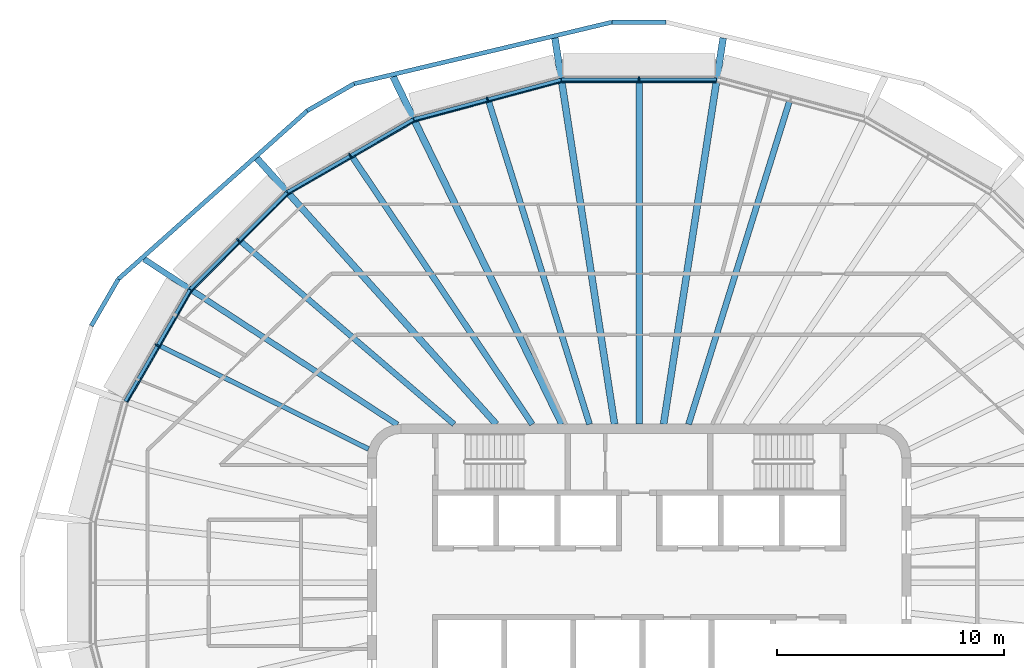
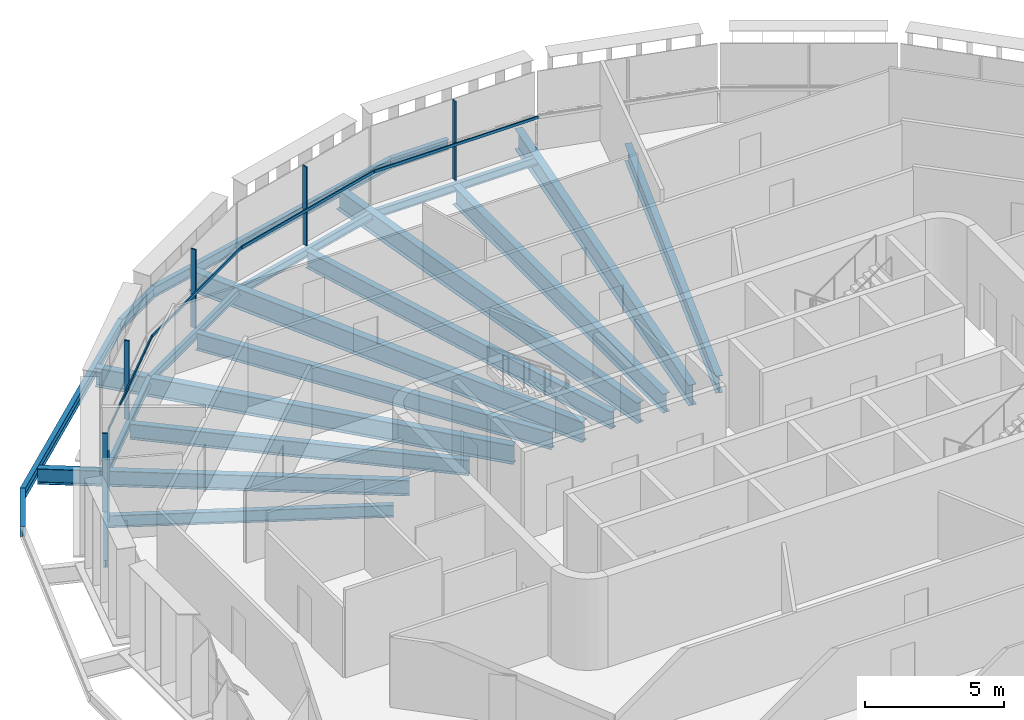
# One storey, part 5 of 18: 21 beams, 10 members, 5 elements without a shape of their own.
"""IFC4 building model written with IfcOpenShell, lengths in metres."""

import ifcopenshell
import ifcopenshell.guid

model = None  # the IFC model being written
_history = None  # IfcOwnerHistory: only IFC2X3 demands one
_inside = {}  # id of a spatial element -> (the spatial element, [elements in it])
_under = {}  # id of a project, library or spatial element -> (it, [spatial elements below it])
_declared = {}  # id of a project -> (the project, [libraries it declares])
_typed = {}  # id of a type object -> (the type object, [elements of that type])
_made_of = {}  # id of a material, layer set ... -> (it, [elements and type objects made of it])


def new_model(schema):
    """Start an empty IFC model of exactly this schema.

    Asked for "IFC4X3", IfcOpenShell would pick the latest addendum, in which some entities
    have other attributes; the version numbers below select the first issue.
    IFC2X3 requires an IfcOwnerHistory on every rooted entity: one is made here for all.
    """
    global model, _history
    if schema == "IFC4X3":
        model = ifcopenshell.file(schema_version=(4, 3, 0, 0))
    else:
        model = ifcopenshell.file(schema=schema)
    _inside.clear()
    _under.clear()
    _declared.clear()
    _typed.clear()
    _made_of.clear()
    _history = None
    if model.schema == "IFC2X3":
        org = make("IfcOrganization", Name="unknown")
        user = make(
            "IfcPersonAndOrganization",
            ThePerson=make("IfcPerson", FamilyName="unknown"),
            TheOrganization=org,
        )
        app = make(
            "IfcApplication",
            ApplicationDeveloper=org,
            Version="unknown",
            ApplicationFullName="unknown",
            ApplicationIdentifier="unknown",
        )
        _history = make(
            "IfcOwnerHistory",
            OwningUser=user,
            OwningApplication=app,
            ChangeAction="ADDED",
            CreationDate=0,
        )
    return model


def make(cls, **values):
    """One entity of the class cls with the attributes given. An attribute that is None is left unset."""
    return model.create_entity(
        cls, **{name: value for name, value in values.items() if value is not None}
    )


def rooted(cls, **values):
    """An entity with a GlobalId (a new one), such as an element, a storey or a relation."""
    return make(cls, GlobalId=ifcopenshell.guid.new(), OwnerHistory=_history, **values)


def si_unit(unit_type, name, prefix=None):
    """IfcSIUnit, for example si_unit("LENGTHUNIT", "METRE", prefix="MILLI")."""
    return make("IfcSIUnit", UnitType=unit_type, Prefix=prefix, Name=name)


def assignment(units):
    """IfcUnitAssignment: the units of a project."""
    return None if units is None else make("IfcUnitAssignment", Units=units)


def point(xyz):
    """IfcCartesianPoint."""
    return None if xyz is None else make("IfcCartesianPoint", Coordinates=xyz)


def direction(xyz):
    """IfcDirection."""
    return None if xyz is None else make("IfcDirection", DirectionRatios=xyz)


def frame(location, z_axis=None, x_axis=None):
    """IfcAxis2Placement3D, a coordinate frame: its origin and axes. An axis left out is left unset."""
    return make(
        "IfcAxis2Placement3D",
        Location=point(location),
        Axis=direction(z_axis),
        RefDirection=direction(x_axis),
    )


def frame_2d(location, x_axis=None):
    """IfcAxis2Placement2D, a coordinate frame in the plane: its origin and x axis."""
    return make(
        "IfcAxis2Placement2D", Location=point(location), RefDirection=direction(x_axis)
    )


def origin():
    """The frame at (0, 0, 0) with its axes left unset."""
    return frame((0.0, 0.0, 0.0))


def origin_2d():
    """The frame at (0, 0) in the plane with its x axis left unset."""
    return frame_2d((0.0, 0.0))


def place(relative_to, where):
    """IfcLocalPlacement: puts the frame where relative to a parent placement (None: the world)."""
    return make(
        "IfcLocalPlacement", PlacementRelTo=relative_to, RelativePlacement=where
    )


def context(
    kind, dimensions, precision=None, world=None, true_north=None, identifier=None
):
    """IfcGeometricRepresentationContext, for example the 3D "Model" context."""
    return make(
        "IfcGeometricRepresentationContext",
        ContextIdentifier=identifier,
        ContextType=kind,
        CoordinateSpaceDimension=dimensions,
        Precision=precision,
        WorldCoordinateSystem=world,
        TrueNorth=true_north,
    )


def subcontext(parent, identifier, kind, view, scale=None):
    """IfcGeometricRepresentationSubContext, for example "Body" below "Model"."""
    return make(
        "IfcGeometricRepresentationSubContext",
        ContextIdentifier=identifier,
        ContextType=kind,
        ParentContext=parent,
        TargetScale=scale,
        TargetView=view,
    )


def project(units=None, contexts=None):
    """IfcProject with its units and contexts."""
    return rooted(
        "IfcProject",
        Name="project",
        RepresentationContexts=contexts,
        UnitsInContext=assignment(units),
    )


def spatial(cls, under=None, at=None, **own):
    """A site, building, storey or space (cls), placed at a placement, below another one or the project."""
    s = rooted(cls, ObjectPlacement=at, **own)
    if under is not None:
        _under.setdefault(under.id(), (under, []))[1].append(s)
    return s


def profile(cls, at=None, kind="AREA", **sizes):
    """A parametric profile (cls). Its sizes go by their IFC names, for example OverallWidth=200.0."""
    return make(cls, ProfileType=kind, Position=at, **sizes)


def rectangle(**sizes):
    """IfcRectangleProfileDef."""
    return profile("IfcRectangleProfileDef", **sizes)


def i_section(**sizes):
    """IfcIShapeProfileDef."""
    return profile("IfcIShapeProfileDef", **sizes)


def extrude(swept, where, along, depth):
    """IfcExtrudedAreaSolid: the profile swept, set in the frame where, extruded along a direction by depth."""
    return make(
        "IfcExtrudedAreaSolid",
        SweptArea=swept,
        Position=where,
        ExtrudedDirection=direction(along),
        Depth=depth,
    )


def shape(context_of_items, identifier, shape_type, items):
    """IfcShapeRepresentation: the items that make up one representation, for example the "Body"."""
    return make(
        "IfcShapeRepresentation",
        ContextOfItems=context_of_items,
        RepresentationIdentifier=identifier,
        RepresentationType=shape_type,
        Items=items,
    )


def material(Name=None, Category=None):
    """IfcMaterial."""
    return make("IfcMaterial", Name=Name, Category=Category)


def layer(
    of_material, thickness, ventilated=None, Name=None, Category=None, Priority=None
):
    """IfcMaterialLayer: one layer of a wall or slab, of a material (None: an air gap)."""
    return make(
        "IfcMaterialLayer",
        Material=of_material,
        LayerThickness=thickness,
        IsVentilated=ventilated,
        Name=Name,
        Category=Category,
        Priority=Priority,
    )


def layer_set(layers, Name=None):
    """IfcMaterialLayerSet."""
    return make("IfcMaterialLayerSet", MaterialLayers=layers, LayerSetName=Name)


def material_profile(
    of_material, cross_section, Name=None, Category=None, Priority=None
):
    """IfcMaterialProfile: a cross section and its material."""
    return make(
        "IfcMaterialProfile",
        Name=Name,
        Material=of_material,
        Profile=cross_section,
        Priority=Priority,
        Category=Category,
    )


def profile_set(profiles, Name=None, composite=None):
    """IfcMaterialProfileSet."""
    return make(
        "IfcMaterialProfileSet",
        Name=Name,
        MaterialProfiles=profiles,
        CompositeProfile=composite,
    )


def made_of(thing, what):
    """Note that an element or type object is made of a material, layer set ...; save() writes the relation."""
    if what is not None:
        _made_of.setdefault(what.id(), (what, []))[1].append(thing)
    return thing


def type_object(cls, material=None, **own):
    """A type object (cls), such as IfcWallType, which elements share."""
    return made_of(rooted(cls, **own), material)


def element(
    cls,
    number,
    at=None,
    inside=None,
    cuts=None,
    type_object=None,
    material=None,
    context=None,
    identifier="Body",
    shape_type=None,
    held_by="IfcProductDefinitionShape",
    body=None,
    shapes=None,
    **own,
):
    """One element of the class cls, such as IfcWall. Its Tag is "e" and its number.

    at: its placement. inside: the storey or other place that contains it. cuts: it is an
    opening in that element (IfcRelVoidsElement). A single representation is given by context,
    identifier, shape_type and body (its items); several are given by shapes. held_by: the class
    of the entity that holds the representations. save() writes the other relations.
    """
    e = rooted(cls, Tag="e%d" % number, ObjectPlacement=at, **own)
    if body is not None:
        shapes = [shape(context, identifier, shape_type, body)]
    if shapes is not None:
        e.Representation = make(held_by, Representations=shapes)
    if inside is not None:
        _inside.setdefault(inside.id(), (inside, []))[1].append(e)
    if cuts is not None:
        rooted(
            "IfcRelVoidsElement", RelatingBuildingElement=cuts, RelatedOpeningElement=e
        )
    if type_object is not None:
        _typed.setdefault(type_object.id(), (type_object, []))[1].append(e)
    return made_of(e, material)


def aggregate(whole, parts):
    """IfcRelAggregates: a whole, such as a stair, and the parts it consists of."""
    return rooted("IfcRelAggregates", RelatingObject=whole, RelatedObjects=parts)


def save(model, path):
    """Write the relations noted so far, then the file.

    IfcRelAggregates (storeys below a building ...), IfcRelContainedInSpatialStructure (elements
    in a storey), IfcRelDefinesByType, IfcRelAssociatesMaterial and IfcRelDeclares: one each for
    every whole, place, type object, material and project.
    """
    for whole, parts in _under.values():
        aggregate(whole, parts)
    for where, things in _inside.values():
        rooted(
            "IfcRelContainedInSpatialStructure",
            RelatedElements=things,
            RelatingStructure=where,
        )
    for kind, things in _typed.values():
        rooted("IfcRelDefinesByType", RelatedObjects=things, RelatingType=kind)
    for what, things in _made_of.values():
        rooted("IfcRelAssociatesMaterial", RelatedObjects=things, RelatingMaterial=what)
    for by, libraries in _declared.values():
        rooted("IfcRelDeclares", RelatingContext=by, RelatedDefinitions=libraries)
    model.write(path)


model = new_model("IFC4")

# Units and contexts
model_context = context("Model", 3, precision=1e-05, world=origin(), true_north=direction((0.0, 1.0)))
body_context = subcontext(model_context, "Body", "Model", "MODEL_VIEW")
ifc_project = project(units=[si_unit("LENGTHUNIT", "METRE"), si_unit("AREAUNIT", "SQUARE_METRE"), si_unit("VOLUMEUNIT", "CUBIC_METRE"), si_unit("PLANEANGLEUNIT", "RADIAN"), si_unit("MASSUNIT", "GRAM", prefix="KILO")], contexts=[model_context])

# Site, building, storey
site_placement = place(None, origin())
site = spatial("IfcSite", under=ifc_project, at=site_placement, CompositionType="ELEMENT")
building_placement = place(site_placement, origin())
building = spatial("IfcBuilding", under=site, at=building_placement, Name="Sahrelin Media Tower", CompositionType="ELEMENT")
storey_placement = place(building_placement, frame((0.0, 0.0, 320.39990234375)))
storey = spatial("IfcBuildingStorey", under=building, at=storey_placement, Name="L71", CompositionType="ELEMENT", Elevation=320.39990234375)

# Beams
ifc_material_1 = material(Name="Steel S355", Category="steel")
ifc_material_profile_1 = material_profile(ifc_material_1, i_section(OverallWidth=0.1650390625, OverallDepth=0.303466796875, WebThickness=0.006103515625, FlangeThickness=0.01025390625, FilletRadius=0.0087890625, at=origin_2d()), Name="UB 305x165x40")
ifc_profile_set_1 = profile_set([ifc_material_profile_1], Name="Steel S355")
beam_type_1 = type_object("IfcBeamType", Name="Edge beam EB2", PredefinedType="BEAM", material=ifc_profile_set_1)
beam_1_placement = place(storey_placement, frame((-22.66650390625, 8.00830078125, -0.301513671875), z_axis=(0.50000363893, 0.866023302837, 0.0), x_axis=(-0.866023302837, 0.50000363893, 0.0)))
element("IfcBeam", 1, at=beam_1_placement, inside=storey, type_object=beam_type_1, Name="Edge beam L71-15", PredefinedType="BEAM", context=body_context, shape_type="SweptSolid", body=[
    extrude(i_section(OverallWidth=0.1650390625, OverallDepth=0.303466796875, WebThickness=0.006103515625, FlangeThickness=0.01025390625, FilletRadius=0.0087890625, at=origin_2d()), origin(), (0.0, 0.0, 1.0), 5.68701171875),
])
ifc_material_profile_2 = material_profile(ifc_material_1, i_section(OverallWidth=0.17138671875, OverallDepth=0.35498046875, WebThickness=0.00732421875, FlangeThickness=0.011474609375, FilletRadius=0.01025390625, at=origin_2d()), Name="UB 356x171x51")
ifc_profile_set_2 = profile_set([ifc_material_profile_2], Name="Steel S355")
beam_type_2 = type_object("IfcBeamType", Name="Edge beam EB3", PredefinedType="BEAM", material=ifc_profile_set_2)
beam_2_placement = place(storey_placement, frame((-19.805419921875, 12.956298828125, -0.327392578125), z_axis=(0.707106781187, 0.707106781187, 0.0), x_axis=(-0.707106781187, 0.707106781187, 0.0)))
element("IfcBeam", 2, at=beam_2_placement, inside=storey, type_object=beam_type_2, Name="Edge beam L71-16", PredefinedType="BEAM", context=body_context, shape_type="SweptSolid", body=[
    extrude(i_section(OverallWidth=0.17138671875, OverallDepth=0.35498046875, WebThickness=0.00732421875, FlangeThickness=0.011474609375, FilletRadius=0.01025390625, at=origin_2d()), origin(), (0.0, 0.0, 1.0), 6.033447265625),
])
beam_3_placement = place(storey_placement, frame((-15.51611328125, 17.240234375, -0.327392578125), z_axis=(0.866016350121, 0.500015681077, 0.0), x_axis=(-0.500015681077, 0.866016350121, 0.0)))
element("IfcBeam", 3, at=beam_3_placement, inside=storey, type_object=beam_type_2, Name="Edge beam L71-17", PredefinedType="BEAM", context=body_context, shape_type="SweptSolid", body=[
    extrude(i_section(OverallWidth=0.17138671875, OverallDepth=0.35498046875, WebThickness=0.00732421875, FlangeThickness=0.011474609375, FilletRadius=0.01025390625, at=origin_2d()), origin(), (0.0, 0.0, 1.0), 6.414306640625),
])
beam_4_placement = place(storey_placement, frame((-9.9345703125, 20.45849609375, -0.327392578125), z_axis=(0.965930856343, 0.258800271955, 0.0), x_axis=(-0.258800271955, 0.965930856343, 0.0)))
element("IfcBeam", 4, at=beam_4_placement, inside=storey, type_object=beam_type_2, Name="Edge beam L71-18", PredefinedType="BEAM", context=body_context, shape_type="SweptSolid", body=[
    extrude(i_section(OverallWidth=0.17138671875, OverallDepth=0.35498046875, WebThickness=0.00732421875, FlangeThickness=0.011474609375, FilletRadius=0.01025390625, at=origin_2d()), origin(), (0.0, 0.0, 1.0), 6.717529296875),
])
beam_5_placement = place(storey_placement, frame((-3.4169921875, 22.200927734375, -0.327392578125), z_axis=(1.0, 0.0, 0.0), x_axis=(0.0, 1.0, 0.0)))
element("IfcBeam", 5, at=beam_5_placement, inside=storey, type_object=beam_type_2, Name="Edge beam L71-19", PredefinedType="BEAM", context=body_context, shape_type="SweptSolid", body=[
    extrude(i_section(OverallWidth=0.17138671875, OverallDepth=0.35498046875, WebThickness=0.00732421875, FlangeThickness=0.011474609375, FilletRadius=0.01025390625, at=origin_2d()), origin(), (0.0, 0.0, 1.0), 6.833984375),
])

# Curtain wall, member
ifc_material_2 = material(Name="Champagne anodised aluminium 6063-T6", Category="aluminium")
ifc_layer = layer(ifc_material_2, 0.14990234375)
ifc_layer_set = layer_set([ifc_layer], Name="Tower ribbon curtain wall")
curtain_wall_type = type_object("IfcCurtainWallType", Name="Tower ribbon curtain wall", PredefinedType="NOTDEFINED", material=ifc_layer_set)
curtain_wall_1_placement = place(storey_placement, frame((0.0, 22.350830078125, 0.0), z_axis=(0.0, 0.0, 1.0), x_axis=(1.0, 0.0, 0.0)))
curtain_wall_1 = element("IfcCurtainWall", 6, at=curtain_wall_1_placement, inside=storey, type_object=curtain_wall_type, Name="L71:CW:L71-06", PredefinedType="NOTDEFINED")
ifc_material_profile_3 = material_profile(ifc_material_2, rectangle(XDim=0.06005859375, YDim=0.199951171875, at=origin_2d()), Name="Mullion 60x200")
ifc_profile_set_3 = profile_set([ifc_material_profile_3], Name="Champagne anodised aluminium 6063-T6")
member_type_1 = type_object("IfcMemberType", Name="Mullion 60x200 CW1C", PredefinedType="MULLION", material=ifc_profile_set_3)
member_1_placement = place(storey_placement, frame((0.0, 22.23095703125, 0.0), z_axis=(0.0, 0.0, 1.0), x_axis=(-1.0, 0.0, 0.0)))
member_1 = element("IfcMember", 7, at=member_1_placement, type_object=member_type_1, Name="L71:CWM:L71-06", PredefinedType="MULLION", context=body_context, shape_type="SweptSolid", body=[
    extrude(rectangle(XDim=0.06005859375, YDim=0.199951171875, at=origin_2d()), origin(), (0.0, 0.0, 1.0), 3.44873046875),
])

curtain_wall_2_placement = place(storey_placement, frame((-6.72900390625, 21.47265625, 0.0), z_axis=(0.0, 0.0, 1.0), x_axis=(1.0, 0.0, 0.0)))
curtain_wall_2 = element("IfcCurtainWall", 8, at=curtain_wall_2_placement, inside=storey, type_object=curtain_wall_type, Name="L71:CW:L71-07", PredefinedType="NOTDEFINED")
member_2_placement = place(storey_placement, frame((-6.69775390625, 21.356689453125, 0.0), z_axis=(0.0, 0.0, 1.0), x_axis=(-0.965926278012, -0.258817359244, 0.0)))
member_2 = element("IfcMember", 9, at=member_2_placement, type_object=member_type_1, Name="L71:CWM:L71-07", PredefinedType="MULLION", context=body_context, shape_type="SweptSolid", body=[
    extrude(rectangle(XDim=0.06005859375, YDim=0.199951171875, at=origin_2d()), origin(), (0.0, 0.0, 1.0), 3.44873046875),
])

curtain_wall_3_placement = place(storey_placement, frame((-12.813720703125, 18.9736328125, 0.0), z_axis=(0.0, 0.0, 1.0), x_axis=(1.0, 0.0, 0.0)))
curtain_wall_3 = element("IfcCurtainWall", 10, at=curtain_wall_3_placement, inside=storey, type_object=curtain_wall_type, Name="L71:CW:L71-08", PredefinedType="NOTDEFINED")
member_3_placement = place(storey_placement, frame((-12.753662109375, 18.869873046875, 0.0), z_axis=(0.0, 0.0, 1.0), x_axis=(-0.86602365845, -0.500003022996, 0.0)))
member_3 = element("IfcMember", 11, at=member_3_placement, type_object=member_type_1, Name="L71:CWM:L71-08", PredefinedType="MULLION", context=body_context, shape_type="SweptSolid", body=[
    extrude(rectangle(XDim=0.06005859375, YDim=0.199951171875, at=origin_2d()), origin(), (0.0, 0.0, 1.0), 3.44873046875),
])

curtain_wall_4_placement = place(storey_placement, frame((-17.7783203125, 15.195556640625, 0.0), z_axis=(0.0, 0.0, 1.0), x_axis=(1.0, 0.0, 0.0)))
curtain_wall_4 = element("IfcCurtainWall", 12, at=curtain_wall_4_placement, inside=storey, type_object=curtain_wall_type, Name="L71:CW:L71-09", PredefinedType="NOTDEFINED")
member_4_placement = place(storey_placement, frame((-17.693359375, 15.110595703125, 0.0), z_axis=(0.0, 0.0, 1.0), x_axis=(-0.707106781187, -0.707106781187, 0.0)))
member_4 = element("IfcMember", 13, at=member_4_placement, type_object=member_type_1, Name="L71:CWM:L71-09", PredefinedType="MULLION", context=body_context, shape_type="SweptSolid", body=[
    extrude(rectangle(XDim=0.06005859375, YDim=0.199951171875, at=origin_2d()), origin(), (0.0, 0.0, 1.0), 3.44873046875),
])

curtain_wall_5_placement = place(storey_placement, frame((-21.374755859375, 10.5458984375, 0.0), z_axis=(0.0, 0.0, 1.0), x_axis=(1.0, 0.0, 0.0)))
curtain_wall_5 = element("IfcCurtainWall", 14, at=curtain_wall_5_placement, inside=storey, type_object=curtain_wall_type, Name="L71:CW:L71-10", PredefinedType="NOTDEFINED")
member_5_placement = place(storey_placement, frame((-21.270751953125, 10.48583984375, 0.0), z_axis=(0.0, 0.0, 1.0), x_axis=(-0.500004534492, -0.866022785779, 0.0)))
member_5 = element("IfcMember", 15, at=member_5_placement, type_object=member_type_1, Name="L71:CWM:L71-10", PredefinedType="MULLION", context=body_context, shape_type="SweptSolid", body=[
    extrude(rectangle(XDim=0.06005859375, YDim=0.199951171875, at=origin_2d()), origin(), (0.0, 0.0, 1.0), 3.44873046875),
])

# Beams
ifc_material_profile_4 = material_profile(ifc_material_1, i_section(OverallWidth=0.291748046875, OverallDepth=0.8349609375, WebThickness=0.013916015625, FlangeThickness=0.018798828125, FilletRadius=0.017822265625, at=origin_2d()), Name="UB 838x292x176")
ifc_profile_set_4 = profile_set([ifc_material_profile_4], Name="Steel S355")
beam_type_3 = type_object("IfcBeamType", Name="Radial primary beam PB10", PredefinedType="BEAM", material=ifc_profile_set_4)
beam_6_placement = place(storey_placement, frame((-6.30126953125, 7.0, -0.5673828125), z_axis=(-0.669035624577, 0.743230336468, 0.0), x_axis=(-0.743230336468, -0.669035624577, 0.0)))
element("IfcBeam", 16, at=beam_6_placement, inside=storey, type_object=beam_type_3, Name="Radial beam L71-09", PredefinedType="BEAM", context=body_context, shape_type="SweptSolid", body=[
    extrude(i_section(OverallWidth=0.291748046875, OverallDepth=0.8349609375, WebThickness=0.013916015625, FlangeThickness=0.018798828125, FilletRadius=0.017822265625, at=origin_2d()), origin(), (0.0, 0.0, 1.0), 15.791259765625),
])
ifc_material_profile_5 = material_profile(ifc_material_1, i_section(OverallWidth=0.30322265625, OverallDepth=0.903076171875, WebThickness=0.01513671875, FlangeThickness=0.020263671875, FilletRadius=0.01904296875, at=origin_2d()), Name="UB 914x305x201")
ifc_profile_set_5 = profile_set([ifc_material_profile_5], Name="Steel S355")
beam_type_4 = type_object("IfcBeamType", Name="Radial primary beam PB11", PredefinedType="BEAM", material=ifc_profile_set_5)
for number, where, z_axis, x_axis, name in (
    (17, (1.080810546875, 7.0, -0.601318359375), (0.152615417816, 0.988285654173, 0.0), (-0.988285654173, 0.152615417816, 0.0), "Radial beam L71-06"),
    (18, (-1.080810546875, 7.0, -0.601318359375), (-0.152615417816, 0.988285654173, 0.0), (-0.988285654173, -0.152615417816, 0.0), "Radial beam L71-07"),
):
    element("IfcBeam", number, at=place(storey_placement, frame(where, z_axis=z_axis, x_axis=x_axis)), inside=storey, type_object=beam_type_4, Name=name, PredefinedType="BEAM", context=body_context, shape_type="SweptSolid", body=[
        extrude(i_section(OverallWidth=0.30322265625, OverallDepth=0.903076171875, WebThickness=0.01513671875, FlangeThickness=0.020263671875, FilletRadius=0.01904296875, at=origin_2d()), origin(), (0.0, 0.0, 1.0), 17.2529296875),
    ])
beam_7_placement = place(storey_placement, frame((-3.401123046875, 7.0, -0.601318359375), z_axis=(-0.437024704588, 0.899449502518, 0.0), x_axis=(-0.899449502518, -0.437024704588, 0.0)))
element("IfcBeam", 19, at=beam_7_placement, inside=storey, type_object=beam_type_4, Name="Radial beam L71-08", PredefinedType="BEAM", context=body_context, shape_type="SweptSolid", body=[
    extrude(i_section(OverallWidth=0.30322265625, OverallDepth=0.903076171875, WebThickness=0.01513671875, FlangeThickness=0.020263671875, FilletRadius=0.01904296875, at=origin_2d()), origin(), (0.0, 0.0, 1.0), 17.06103515625),
])
ifc_material_profile_6 = material_profile(ifc_material_1, i_section(OverallWidth=0.2529296875, OverallDepth=0.677978515625, WebThickness=0.01171875, FlangeThickness=0.01611328125, FilletRadius=0.01513671875, at=origin_2d()), Name="UB 686x254x125")
ifc_profile_set_6 = profile_set([ifc_material_profile_6], Name="Steel S355")
beam_type_5 = type_object("IfcBeamType", Name="Radial primary beam PB8", PredefinedType="BEAM", material=ifc_profile_set_6)
beam_8_placement = place(storey_placement, frame((-10.669189453125, 6.977783203125, -0.489013671875), z_axis=(-0.836908141408, 0.547343368321, 0.0), x_axis=(-0.547343368321, -0.836908141408, 0.0)))
element("IfcBeam", 20, at=beam_8_placement, inside=storey, type_object=beam_type_5, Name="Radial beam L71-10", PredefinedType="BEAM", context=body_context, shape_type="SweptSolid", body=[
    extrude(i_section(OverallWidth=0.2529296875, OverallDepth=0.677978515625, WebThickness=0.01171875, FlangeThickness=0.01611328125, FilletRadius=0.01513671875, at=origin_2d()), origin(), (0.0, 0.0, 1.0), 13.364501953125),
])
ifc_material_profile_7 = material_profile(ifc_material_1, i_section(OverallWidth=0.291748046875, OverallDepth=0.8349609375, WebThickness=0.013916015625, FlangeThickness=0.018798828125, FilletRadius=0.017822265625, at=origin_2d()), Name="UB 838x292x176")
ifc_profile_set_7 = profile_set([ifc_material_profile_7], Name="Steel S355")
beam_type_6 = type_object("IfcBeamType", Name="Radial secondary beam SB10", PredefinedType="BEAM", material=ifc_profile_set_7)
beam_9_placement = place(storey_placement, frame((0.0, 7.0, -0.5673828125), z_axis=(0.0, 1.0, 0.0), x_axis=(-1.0, 0.0, 0.0)))
element("IfcBeam", 21, at=beam_9_placement, inside=storey, type_object=beam_type_6, Name="Secondary beam L71-06", PredefinedType="BEAM", context=body_context, shape_type="SweptSolid", body=[
    extrude(i_section(OverallWidth=0.291748046875, OverallDepth=0.8349609375, WebThickness=0.013916015625, FlangeThickness=0.018798828125, FilletRadius=0.017822265625, at=origin_2d()), origin(), (0.0, 0.0, 1.0), 15.114990234375),
])
ifc_material_profile_8 = material_profile(ifc_material_1, i_section(OverallWidth=0.208740234375, OverallDepth=0.5283203125, WebThickness=0.009521484375, FlangeThickness=0.01318359375, FilletRadius=0.0126953125, at=origin_2d()), Name="UB 533x210x82")
ifc_profile_set_8 = profile_set([ifc_material_profile_8], Name="Steel S355")
beam_type_7 = type_object("IfcBeamType", Name="Radial secondary beam SB6", PredefinedType="BEAM", material=ifc_profile_set_8)
beam_10_placement = place(storey_placement, frame((-11.941650390625, 5.90576171875, -0.4140625), z_axis=(-0.896375943047, 0.443294674824, 0.0), x_axis=(-0.443294674824, -0.896375943047, 0.0)))
element("IfcBeam", 22, at=beam_10_placement, inside=storey, type_object=beam_type_7, Name="Secondary beam L71-10", PredefinedType="BEAM", context=body_context, shape_type="SweptSolid", body=[
    extrude(i_section(OverallWidth=0.208740234375, OverallDepth=0.5283203125, WebThickness=0.009521484375, FlangeThickness=0.01318359375, FilletRadius=0.0126953125, at=origin_2d()), origin(), (0.0, 0.0, 1.0), 10.27783203125),
])
ifc_material_profile_9 = material_profile(ifc_material_1, i_section(OverallWidth=0.2529296875, OverallDepth=0.677978515625, WebThickness=0.01171875, FlangeThickness=0.01611328125, FilletRadius=0.01513671875, at=origin_2d()), Name="UB 686x254x125")
ifc_profile_set_9 = profile_set([ifc_material_profile_9], Name="Steel S355")
beam_type_8 = type_object("IfcBeamType", Name="Radial secondary beam SB8", PredefinedType="BEAM", material=ifc_profile_set_9)
beam_11_placement = place(storey_placement, frame((-8.168212890625, 7.0, -0.489013671875), z_axis=(-0.75931918364, 0.650718354863, 0.0), x_axis=(-0.650718354863, -0.75931918364, 0.0)))
element("IfcBeam", 23, at=beam_11_placement, inside=storey, type_object=beam_type_8, Name="Secondary beam L71-09", PredefinedType="BEAM", context=body_context, shape_type="SweptSolid", body=[
    extrude(i_section(OverallWidth=0.2529296875, OverallDepth=0.677978515625, WebThickness=0.01171875, FlangeThickness=0.01611328125, FilletRadius=0.01513671875, at=origin_2d()), origin(), (0.0, 0.0, 1.0), 12.391357421875),
])
ifc_material_profile_10 = material_profile(ifc_material_1, i_section(OverallWidth=0.26513671875, OverallDepth=0.75390625, WebThickness=0.0126953125, FlangeThickness=0.017578125, FilletRadius=0.0166015625, at=origin_2d()), Name="UB 762x267x147")
ifc_profile_set_10 = profile_set([ifc_material_profile_10], Name="Steel S355")
beam_type_9 = type_object("IfcBeamType", Name="Radial secondary beam SB9", PredefinedType="BEAM", material=ifc_profile_set_10)
for number, where, z_axis, x_axis, name in (
    (24, (2.186279296875, 7.0, -0.52685546875), (0.298144654784, 0.954520699002, 0.0), (-0.954520699002, 0.298144654784, 0.0), "Secondary beam L71-05"),
    (25, (-2.186279296875, 7.0, -0.52685546875), (-0.298144654784, 0.954520699002, 0.0), (-0.954520699002, -0.298144654784, 0.0), "Secondary beam L71-07"),
):
    element("IfcBeam", number, at=place(storey_placement, frame(where, z_axis=z_axis, x_axis=x_axis)), inside=storey, type_object=beam_type_9, Name=name, PredefinedType="BEAM", context=body_context, shape_type="SweptSolid", body=[
        extrude(i_section(OverallWidth=0.26513671875, OverallDepth=0.75390625, WebThickness=0.0126953125, FlangeThickness=0.017578125, FilletRadius=0.0166015625, at=origin_2d()), origin(), (0.0, 0.0, 1.0), 14.93212890625),
    ])
beam_12_placement = place(storey_placement, frame((-4.71337890625, 7.0, -0.52685546875), z_axis=(-0.558514308312, 0.82949488691, 0.0), x_axis=(-0.82949488691, -0.558514308312, 0.0)))
element("IfcBeam", 26, at=beam_12_placement, inside=storey, type_object=beam_type_9, Name="Secondary beam L71-08", PredefinedType="BEAM", context=body_context, shape_type="SweptSolid", body=[
    extrude(i_section(OverallWidth=0.26513671875, OverallDepth=0.75390625, WebThickness=0.0126953125, FlangeThickness=0.017578125, FilletRadius=0.0166015625, at=origin_2d()), origin(), (0.0, 0.0, 1.0), 14.218017578125),
])
ifc_material_profile_11 = material_profile(ifc_material_1, i_section(OverallWidth=0.1904296875, OverallDepth=0.45703125, WebThickness=0.009033203125, FlangeThickness=0.014404296875, FilletRadius=0.01025390625, at=origin_2d()), Name="UB 457x191x74")
ifc_profile_set_11 = profile_set([ifc_material_profile_11], Name="Steel S355")
beam_type_10 = type_object("IfcBeamType", Name="Tie chord TC5", PredefinedType="BEAM", material=ifc_profile_set_11)
beam_13_placement = place(storey_placement, frame((1.19189453125, 24.750732421875, -0.37841796875), z_axis=(-1.0, 0.0, 0.0), x_axis=(0.0, -1.0, 0.0)))
element("IfcBeam", 27, at=beam_13_placement, inside=storey, type_object=beam_type_10, Name="Tie chord L71-06", PredefinedType="BEAM", context=body_context, shape_type="SweptSolid", body=[
    extrude(i_section(OverallWidth=0.1904296875, OverallDepth=0.45703125, WebThickness=0.009033203125, FlangeThickness=0.014404296875, FilletRadius=0.01025390625, at=origin_2d()), origin(), (0.0, 0.0, 1.0), 2.3837890625),
])
beam_14_placement = place(storey_placement, frame((-1.19189453125, 24.750732421875, -0.37841796875), z_axis=(-0.972667165889, -0.232203756218, 0.0), x_axis=(0.232203756218, -0.972667165889, 0.0)))
element("IfcBeam", 28, at=beam_14_placement, inside=storey, type_object=beam_type_10, Name="Tie chord L71-07", PredefinedType="BEAM", context=body_context, shape_type="SweptSolid", body=[
    extrude(i_section(OverallWidth=0.1904296875, OverallDepth=0.45703125, WebThickness=0.009033203125, FlangeThickness=0.014404296875, FilletRadius=0.01025390625, at=origin_2d()), origin(), (0.0, 0.0, 1.0), 11.713623046875),
])
beam_15_placement = place(storey_placement, frame((-12.58544921875, 22.03076171875, -0.37841796875), z_axis=(-0.866028679985, -0.499994325412, 0.0), x_axis=(0.499994325412, -0.866028679985, 0.0)))
element("IfcBeam", 29, at=beam_15_placement, inside=storey, type_object=beam_type_10, Name="Tie chord L71-08", PredefinedType="BEAM", context=body_context, shape_type="SweptSolid", body=[
    extrude(i_section(OverallWidth=0.1904296875, OverallDepth=0.45703125, WebThickness=0.009033203125, FlangeThickness=0.014404296875, FilletRadius=0.01025390625, at=origin_2d()), origin(), (0.0, 0.0, 1.0), 2.3837890625),
])
beam_16_placement = place(storey_placement, frame((-14.64990234375, 20.8388671875, -0.37841796875), z_axis=(-0.746639514232, -0.665228859707, 0.0), x_axis=(0.665228859707, -0.746639514232, 0.0)))
element("IfcBeam", 30, at=beam_16_placement, inside=storey, type_object=beam_type_10, Name="Tie chord L71-09", PredefinedType="BEAM", context=body_context, shape_type="SweptSolid", body=[
    extrude(i_section(OverallWidth=0.1904296875, OverallDepth=0.45703125, WebThickness=0.009033203125, FlangeThickness=0.014404296875, FilletRadius=0.01025390625, at=origin_2d()), origin(), (0.0, 0.0, 1.0), 11.1708984375),
])
beam_17_placement = place(storey_placement, frame((-22.990478515625, 13.40771484375, -0.37841796875), z_axis=(-0.499994325412, -0.866028679985, 0.0), x_axis=(0.866028679985, -0.499994325412, 0.0)))
element("IfcBeam", 31, at=beam_17_placement, inside=storey, type_object=beam_type_10, Name="Tie chord L71-10", PredefinedType="BEAM", context=body_context, shape_type="SweptSolid", body=[
    extrude(i_section(OverallWidth=0.1904296875, OverallDepth=0.45703125, WebThickness=0.009033203125, FlangeThickness=0.014404296875, FilletRadius=0.01025390625, at=origin_2d()), origin(), (0.0, 0.0, 1.0), 2.3837890625),
])

# Member
ifc_material_profile_12 = material_profile(ifc_material_2, rectangle(XDim=0.050048828125, YDim=0.1201171875, at=origin_2d()), Name="Transom 50x120")
ifc_profile_set_12 = profile_set([ifc_material_profile_12], Name="Champagne anodised aluminium 6063-T6")
member_type_2 = type_object("IfcMemberType", Name="Transom 50x120 CW1C", PredefinedType="USERDEFINED", material=ifc_profile_set_12)
member_6_placement = place(storey_placement, frame((3.4013671875, 22.10595703125, 1.60009765625), z_axis=(-1.0, 0.0, 0.0), x_axis=(0.0, -1.0, 0.0)))
member_6 = element("IfcMember", 32, at=member_6_placement, type_object=member_type_2, Name="L71:CWT:L71-06", ObjectType="TRANSOM", PredefinedType="USERDEFINED", context=body_context, shape_type="SweptSolid", body=[
    extrude(rectangle(XDim=0.050048828125, YDim=0.1201171875, at=origin_2d()), origin(), (0.0, 0.0, 1.0), 6.802734375),
])

aggregate(curtain_wall_1, [member_1, member_6])

member_7_placement = place(storey_placement, frame((-3.436279296875, 22.101318359375, 1.60009765625), z_axis=(-0.965928819755, -0.258807873079, 0.0), x_axis=(0.258807873079, -0.965928819755, 0.0)))
member_7 = element("IfcMember", 33, at=member_7_placement, type_object=member_type_2, Name="L71:CWT:L71-07", ObjectType="TRANSOM", PredefinedType="USERDEFINED", context=body_context, shape_type="SweptSolid", body=[
    extrude(rectangle(XDim=0.050048828125, YDim=0.1201171875, at=origin_2d()), origin(), (0.0, 0.0, 1.0), 6.686279296875),
])

aggregate(curtain_wall_2, [member_2, member_7])

member_8_placement = place(storey_placement, frame((-9.92724609375, 20.357421875, 1.60009765625), z_axis=(-0.866014883366, -0.500018221457, 0.0), x_axis=(0.500018221457, -0.866014883366, 0.0)))
member_8 = element("IfcMember", 34, at=member_8_placement, type_object=member_type_2, Name="L71:CWT:L71-08", ObjectType="TRANSOM", PredefinedType="USERDEFINED", context=body_context, shape_type="SweptSolid", body=[
    extrude(rectangle(XDim=0.050048828125, YDim=0.1201171875, at=origin_2d()), origin(), (0.0, 0.0, 1.0), 6.383056640625),
])

aggregate(curtain_wall_3, [member_3, member_8])

member_9_placement = place(storey_placement, frame((-15.48291015625, 17.144287109375, 1.60009765625), z_axis=(-0.707106781187, -0.707106781187, 0.0), x_axis=(0.707106781187, -0.707106781187, 0.0)))
member_9 = element("IfcMember", 35, at=member_9_placement, type_object=member_type_2, Name="L71:CWT:L71-09", ObjectType="TRANSOM", PredefinedType="USERDEFINED", context=body_context, shape_type="SweptSolid", body=[
    extrude(rectangle(XDim=0.050048828125, YDim=0.1201171875, at=origin_2d()), origin(), (0.0, 0.0, 1.0), 6.002197265625),
])

aggregate(curtain_wall_4, [member_4, member_9])

member_10_placement = place(storey_placement, frame((-19.74853515625, 12.872314453125, 1.60009765625), z_axis=(-0.500006439447, -0.866021685936, 0.0), x_axis=(0.866021685936, -0.500006439447, 0.0)))
member_10 = element("IfcMember", 36, at=member_10_placement, type_object=member_type_2, Name="L71:CWT:L71-10", ObjectType="TRANSOM", PredefinedType="USERDEFINED", context=body_context, shape_type="SweptSolid", body=[
    extrude(rectangle(XDim=0.050048828125, YDim=0.1201171875, at=origin_2d()), origin(), (0.0, 0.0, 1.0), 5.65576171875),
])

aggregate(curtain_wall_5, [member_5, member_10])

save(model, "model.ifc")
